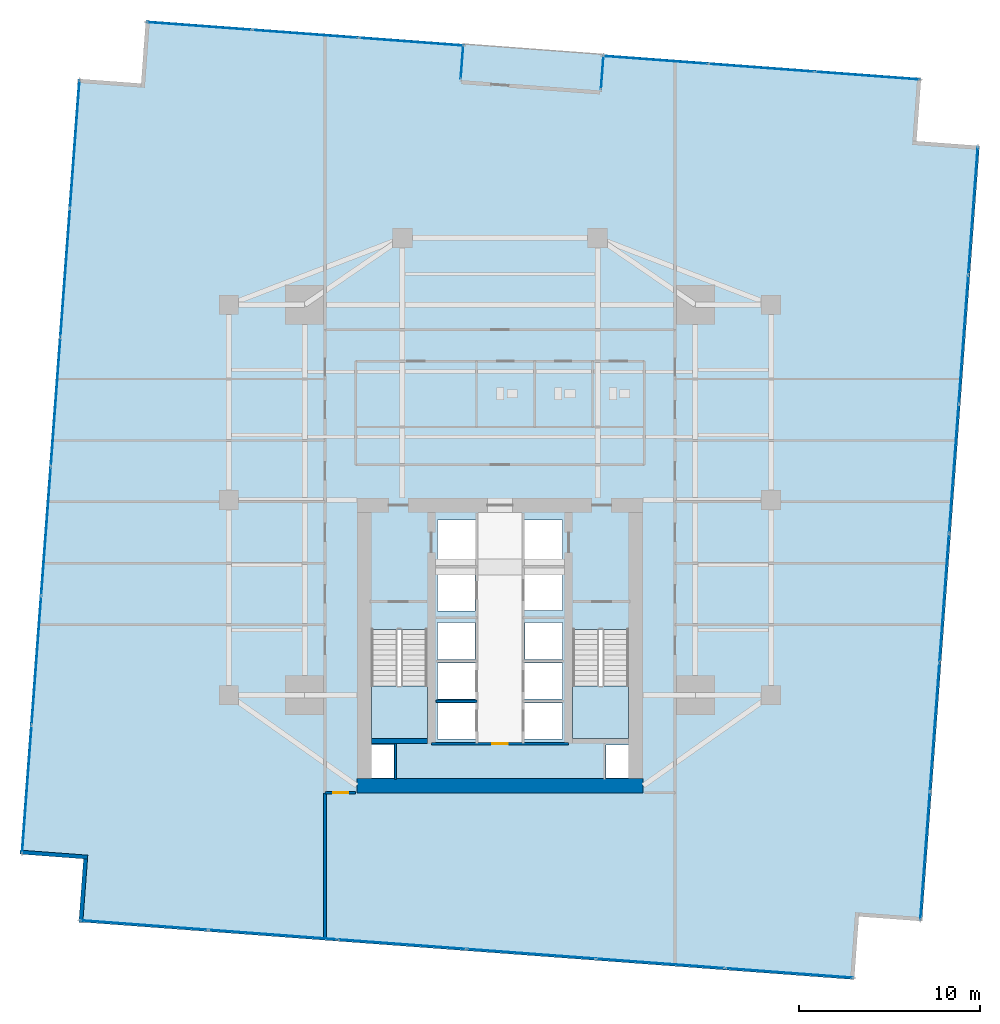
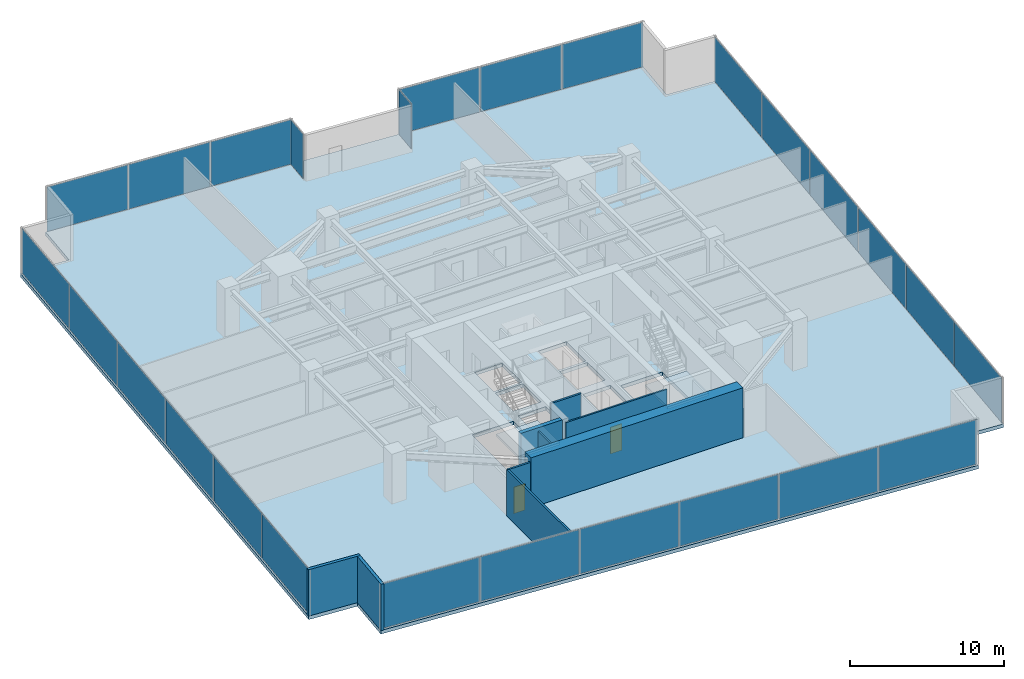
# One storey, part 25 of 30: 26 plates, 9 walls, 3 slabs, 2 doors, 2 openings, 9 elements without a shape of their own.
"""IFC4 building model written with IfcOpenShell, lengths in metres."""

from ifc_helpers import new_model, si_unit, direction, frame, frame_2d, origin, origin_2d, place, context, subcontext, project, spatial, polyline, rectangle, outline, extrude, source, transform, mapped, material, layer, layer_set, type_object, type_shapes, element, fill, aggregate, save


model = new_model("IFC4")

# Units and contexts
model_context = context("Model", 3, precision=1e-05, world=origin(), true_north=direction((0.0, 1.0)))
body_context = subcontext(model_context, "Body", "Model", "MODEL_VIEW")
ifc_project = project(units=[si_unit("LENGTHUNIT", "METRE"), si_unit("AREAUNIT", "SQUARE_METRE"), si_unit("VOLUMEUNIT", "CUBIC_METRE"), si_unit("PLANEANGLEUNIT", "RADIAN"), si_unit("MASSUNIT", "GRAM", prefix="KILO")], contexts=[model_context])

# Site, building, storey
site_placement = place(None, origin())
site = spatial("IfcSite", under=ifc_project, at=site_placement, CompositionType="ELEMENT")
building_placement = place(site_placement, origin())
building = spatial("IfcBuilding", under=site, at=building_placement, Name="Krantzveldt Concourse Tower", CompositionType="ELEMENT")
storey_placement = place(building_placement, frame((0.0, 0.0, 48.699951171875)))
storey = spatial("IfcBuildingStorey", under=building, at=storey_placement, Name="L11", CompositionType="ELEMENT", Elevation=48.699951171875)

# Stair, slab
ifc_material_1 = material(Name="Precast concrete C40/50", Category="concrete")
stair_type = type_object("IfcStairType", Name="STR-CORE-DOGLEG", PredefinedType="HALF_TURN_STAIR", material=ifc_material_1)
stair_1_placement = place(storey_placement, origin())
stair_1 = element("IfcStair", 1, at=stair_1_placement, inside=storey, type_object=stair_type, Name="L11 Protected Escape Stair ST-1", PredefinedType="HALF_TURN_STAIR")
ifc_layer_1 = layer(ifc_material_1, 0.199951171875, Name="Precast concrete C40/50", Category="concrete")
ifc_layer_set_1 = layer_set([ifc_layer_1], Name="Precast concrete C40/50 (SL-LANDING-200)")
slab_type_1 = type_object("IfcSlabType", Name="SL-LANDING-200", PredefinedType="LANDING", material=ifc_layer_set_1)
slab_1_placement = place(storey_placement, frame((0.0, 0.0, 1.775146484375)))
slab_1 = element("IfcSlab", 2, at=slab_1_placement, type_object=slab_type_1, Name="ST-1 landing 1", PredefinedType="LANDING", context=body_context, shape_type="SweptSolid", body=[
    extrude(outline(polyline([(28.8798828125, 16.4150390625), (28.8798828125, 13.52001953125), (31.97998046875, 13.52001953125), (31.97998046875, 16.4150390625), (28.8798828125, 16.4150390625)])), origin(), (0.0, 0.0, 1.0), 0.199951171875),
])
aggregate(stair_1, [slab_1])

stair_2_placement = place(storey_placement, origin())
stair_2 = element("IfcStair", 3, at=stair_2_placement, inside=storey, type_object=stair_type, Name="L11 Protected Escape Stair ST-2", PredefinedType="HALF_TURN_STAIR")
slab_2_placement = place(storey_placement, frame((0.0, 0.0, 1.775146484375)))
slab_2 = element("IfcSlab", 4, at=slab_2_placement, type_object=slab_type_1, Name="ST-2 landing 1", PredefinedType="LANDING", context=body_context, shape_type="SweptSolid", body=[
    extrude(outline(polyline([(40.02001953125, 16.4150390625), (40.02001953125, 13.52001953125), (43.1201171875, 13.52001953125), (43.1201171875, 16.4150390625), (40.02001953125, 16.4150390625)])), origin(), (0.0, 0.0, 1.0), 0.199951171875),
])
aggregate(stair_2, [slab_2])

# Slab
ifc_material_2 = material(Name="Concrete C40/50", Category="concrete")
ifc_layer_2 = layer(ifc_material_2, 0.280029296875, Name="Concrete C40/50", Category="concrete")
ifc_layer_set_2 = layer_set([ifc_layer_2], Name="Concrete C40/50 (SL-SL-TER280)")
slab_type_2 = type_object("IfcSlabType", Name="SL-SL-TER280", PredefinedType="FLOOR", material=ifc_layer_set_2)
slab_3_placement = place(storey_placement, frame((0.0, 0.0, -0.280029296875)))
element("IfcSlab", 5, at=slab_3_placement, inside=storey, type_object=slab_type_2, Name="SL-L11-MAIN", PredefinedType="FLOOR", context=body_context, shape_type="SweptSolid", body=[
    extrude(outline(polyline([(16.15234375, 49.734130859375), (12.662109375, 49.99365234375), (9.475341796875, 7.11181640625), (12.9658203125, 6.8525390625), (12.706298828125, 3.362060546875), (55.588134765625, 0.17529296875), (55.84765625, 3.665771484375), (59.337890625, 3.406494140625), (62.524658203125, 46.2880859375), (59.0341796875, 46.547607421875), (59.293701171875, 50.037841796875), (16.411865234375, 53.224609375), (16.15234375, 49.734130859375)]), holes=[polyline([(28.8798828125, 19.547607421875), (28.8798828125, 13.52001953125), (31.97998046875, 13.52001953125), (31.97998046875, 19.547607421875), (28.8798828125, 19.547607421875)]), polyline([(40.02001953125, 19.547607421875), (40.02001953125, 13.52001953125), (43.1201171875, 13.52001953125), (43.1201171875, 19.547607421875), (40.02001953125, 19.547607421875)]), polyline([(32.550048828125, 23.10009765625), (34.64990234375, 23.10009765625), (34.64990234375, 25.60009765625), (32.550048828125, 25.60009765625), (32.550048828125, 23.10009765625)]), polyline([(37.35009765625, 23.10009765625), (39.449951171875, 23.10009765625), (39.449951171875, 25.60009765625), (37.35009765625, 25.60009765625), (37.35009765625, 23.10009765625)]), polyline([(37.35009765625, 20.60009765625), (39.449951171875, 20.60009765625), (39.449951171875, 22.89990234375), (37.35009765625, 22.89990234375), (37.35009765625, 20.60009765625)]), polyline([(32.550048828125, 13.47998046875), (34.64990234375, 13.47998046875), (34.64990234375, 15.47998046875), (32.550048828125, 15.47998046875), (32.550048828125, 13.47998046875)]), polyline([(32.550048828125, 15.679931640625), (34.64990234375, 15.679931640625), (34.64990234375, 17.679931640625), (32.550048828125, 17.679931640625), (32.550048828125, 15.679931640625)]), polyline([(37.35009765625, 13.47998046875), (39.449951171875, 13.47998046875), (39.449951171875, 15.47998046875), (37.35009765625, 15.47998046875), (37.35009765625, 13.47998046875)]), polyline([(37.35009765625, 15.679931640625), (39.449951171875, 15.679931640625), (39.449951171875, 17.679931640625), (37.35009765625, 17.679931640625), (37.35009765625, 15.679931640625)]), polyline([(32.550048828125, 20.550048828125), (34.6201171875, 20.550048828125), (34.6201171875, 22.89990234375), (32.550048828125, 22.89990234375), (32.550048828125, 20.550048828125)]), polyline([(32.550048828125, 17.8798828125), (34.6201171875, 17.8798828125), (34.6201171875, 19.919921875), (32.550048828125, 19.919921875), (32.550048828125, 17.8798828125)]), polyline([(37.3798828125, 17.8798828125), (39.449951171875, 17.8798828125), (39.449951171875, 19.919921875), (37.3798828125, 19.919921875), (37.3798828125, 17.8798828125)]), polyline([(28.8798828125, 11.320068359375), (30.139892578125, 11.320068359375), (30.139892578125, 13.159912109375), (28.8798828125, 13.159912109375), (28.8798828125, 11.320068359375)]), polyline([(41.860107421875, 11.320068359375), (43.1201171875, 11.320068359375), (43.1201171875, 13.159912109375), (41.860107421875, 13.159912109375), (41.860107421875, 11.320068359375)])]), origin(), (0.0, 0.0, 1.0), 0.280029296875),
])

# Curtain wall, plates
ifc_material_3 = material(Name="Anodised aluminium 6063-T6", Category="aluminium")
curtain_wall_type_1 = type_object("IfcCurtainWallType", Name="CW2", PredefinedType="USERDEFINED", material=ifc_material_3)
curtain_wall_1_placement = place(storey_placement, origin())
curtain_wall_1 = element("IfcCurtainWall", 6, at=curtain_wall_1_placement, inside=storey, type_object=curtain_wall_type_1, Name="CW-L11-F01", ObjectType="UNITISED CURTAIN WALL", PredefinedType="USERDEFINED")
ifc_material_4 = material(Name="Bronze-tinted laminated low-E IGU glass", Category="glass")
ifc_layer_3 = layer(ifc_material_4, 0.031982421875, Name="Bronze-tinted laminated low-E IGU glass", Category="glass")
ifc_layer_set_3 = layer_set([ifc_layer_3], Name="Bronze-tinted laminated low-E IGU glass (CW-GLZ-32)")
plate_type = type_object("IfcPlateType", Name="CW-GLZ-32", PredefinedType="CURTAIN_PANEL", material=ifc_layer_set_3)
shared_shape_1 = source(origin(), body_context, "Body", "SweptSolid", [
    extrude(rectangle(XDim=7.061767578125, YDim=0.031982421875, at=origin_2d()), origin(), (0.0, 0.0, 1.0), 3.530029296875),
])
plate_1_placement = place(storey_placement, frame((12.48486328125, 46.39599609375, 0.06982421875), z_axis=(0.0, 0.0, 1.0), x_axis=(-0.07410860051, -0.997250176902, 0.0)))
plate_1 = element("IfcPlate", 7, at=plate_1_placement, type_object=plate_type, Name="CW-Z12 panel 1.1", PredefinedType="CURTAIN_PANEL", context=body_context, shape_type="MappedRepresentation", body=[
    mapped(shared_shape_1, transform((0.0, 0.0, 0.0), x_axis=(1.0, 0.0, 0.0), y_axis=(0.0, 1.0, 0.0), z_axis=(0.0, 0.0, 1.0), scale=1.0)),
])
plate_2_placement = place(storey_placement, frame((9.83203125, 10.696044921875, 0.06982421875), z_axis=(0.0, 0.0, 1.0), x_axis=(-0.07410860051, -0.997250176902, 0.0)))
plate_2 = element("IfcPlate", 8, at=plate_2_placement, type_object=plate_type, Name="CW-Z12 panel 6.1", PredefinedType="CURTAIN_PANEL", context=body_context, shape_type="MappedRepresentation", body=[
    mapped(shared_shape_1, transform((0.0, 0.0, 0.0), x_axis=(1.0, 0.0, 0.0), y_axis=(0.0, 1.0, 0.0), z_axis=(0.0, 0.0, 1.0), scale=1.0)),
])

curtain_wall_2_placement = place(storey_placement, origin())
curtain_wall_2 = element("IfcCurtainWall", 9, at=curtain_wall_2_placement, inside=storey, type_object=curtain_wall_type_1, Name="CW-L11-F04", ObjectType="UNITISED CURTAIN WALL", PredefinedType="USERDEFINED")
plate_3_placement = place(storey_placement, frame((16.303955078125, 3.18505859375, 0.06982421875), z_axis=(0.0, 0.0, 1.0), x_axis=(0.997250176902, -0.07410860051, 0.0)))
plate_3 = element("IfcPlate", 10, at=plate_3_placement, type_object=plate_type, Name="CW-Z12 panel 1.1", PredefinedType="CURTAIN_PANEL", context=body_context, shape_type="MappedRepresentation", body=[
    mapped(shared_shape_1, transform((0.0, 0.0, 0.0), x_axis=(1.0, 0.0, 0.0), y_axis=(0.0, 1.0, 0.0), z_axis=(0.0, 0.0, 1.0), scale=1.0)),
])
plate_4_placement = place(storey_placement, frame((52.00390625, 0.531982421875, 0.06982421875), z_axis=(0.0, 0.0, 1.0), x_axis=(0.997250176902, -0.07410860051, 0.0)))
plate_4 = element("IfcPlate", 11, at=plate_4_placement, type_object=plate_type, Name="CW-Z12 panel 6.1", PredefinedType="CURTAIN_PANEL", context=body_context, shape_type="MappedRepresentation", body=[
    mapped(shared_shape_1, transform((0.0, 0.0, 0.0), x_axis=(1.0, 0.0, 0.0), y_axis=(0.0, 1.0, 0.0), z_axis=(0.0, 0.0, 1.0), scale=1.0)),
])

curtain_wall_3_placement = place(storey_placement, origin())
curtain_wall_3 = element("IfcCurtainWall", 12, at=curtain_wall_3_placement, inside=storey, type_object=curtain_wall_type_1, Name="CW-L11-F07", ObjectType="UNITISED CURTAIN WALL", PredefinedType="USERDEFINED")
plate_5_placement = place(storey_placement, frame((59.51513671875, 7.00390625, 0.06982421875), z_axis=(0.0, 0.0, 1.0), x_axis=(0.07410860051, 0.997250176902, 0.0)))
plate_5 = element("IfcPlate", 13, at=plate_5_placement, type_object=plate_type, Name="CW-Z12 panel 1.1", PredefinedType="CURTAIN_PANEL", context=body_context, shape_type="MappedRepresentation", body=[
    mapped(shared_shape_1, transform((0.0, 0.0, 0.0), x_axis=(1.0, 0.0, 0.0), y_axis=(0.0, 1.0, 0.0), z_axis=(0.0, 0.0, 1.0), scale=1.0)),
])
plate_6_placement = place(storey_placement, frame((62.16796875, 42.703857421875, 0.06982421875), z_axis=(0.0, 0.0, 1.0), x_axis=(0.07410860051, 0.997250176902, 0.0)))
plate_6 = element("IfcPlate", 14, at=plate_6_placement, type_object=plate_type, Name="CW-Z12 panel 6.1", PredefinedType="CURTAIN_PANEL", context=body_context, shape_type="MappedRepresentation", body=[
    mapped(shared_shape_1, transform((0.0, 0.0, 0.0), x_axis=(1.0, 0.0, 0.0), y_axis=(0.0, 1.0, 0.0), z_axis=(0.0, 0.0, 1.0), scale=1.0)),
])

# Plate
shared_shape_2 = source(origin(), body_context, "Body", "SweptSolid", [
    extrude(rectangle(XDim=7.0966796875, YDim=0.031982421875, at=origin_2d()), origin(), (0.0, 0.0, 1.0), 3.530029296875),
])
plate_7_placement = place(storey_placement, frame((11.955078125, 39.2666015625, 0.06982421875), z_axis=(0.0, 0.0, 1.0), x_axis=(-0.07410860051, -0.997250176902, 0.0)))
plate_7 = element("IfcPlate", 15, at=plate_7_placement, type_object=plate_type, Name="CW-Z12 panel 2.1", PredefinedType="CURTAIN_PANEL", context=body_context, shape_type="MappedRepresentation", body=[
    mapped(shared_shape_2, transform((0.0, 0.0, 0.0), x_axis=(1.0, 0.0, 0.0), y_axis=(0.0, 1.0, 0.0), z_axis=(0.0, 0.0, 1.0), scale=1.0)),
])

plate_8_placement = place(storey_placement, frame((11.424072265625, 32.11962890625, 0.06982421875), z_axis=(0.0, 0.0, 1.0), x_axis=(-0.07410860051, -0.997250176902, 0.0)))
plate_8 = element("IfcPlate", 16, at=plate_8_placement, type_object=plate_type, Name="CW-Z12 panel 3.1", PredefinedType="CURTAIN_PANEL", context=body_context, shape_type="MappedRepresentation", body=[
    mapped(shared_shape_2, transform((0.0, 0.0, 0.0), x_axis=(1.0, 0.0, 0.0), y_axis=(0.0, 1.0, 0.0), z_axis=(0.0, 0.0, 1.0), scale=1.0)),
])

plate_9_placement = place(storey_placement, frame((10.892822265625, 24.97265625, 0.06982421875), z_axis=(0.0, 0.0, 1.0), x_axis=(-0.07410860051, -0.997250176902, 0.0)))
plate_9 = element("IfcPlate", 17, at=plate_9_placement, type_object=plate_type, Name="CW-Z12 panel 4.1", PredefinedType="CURTAIN_PANEL", context=body_context, shape_type="MappedRepresentation", body=[
    mapped(shared_shape_2, transform((0.0, 0.0, 0.0), x_axis=(1.0, 0.0, 0.0), y_axis=(0.0, 1.0, 0.0), z_axis=(0.0, 0.0, 1.0), scale=1.0)),
])

plate_10_placement = place(storey_placement, frame((10.36181640625, 17.82568359375, 0.06982421875), z_axis=(0.0, 0.0, 1.0), x_axis=(-0.07410860051, -0.997250176902, 0.0)))
plate_10 = element("IfcPlate", 18, at=plate_10_placement, type_object=plate_type, Name="CW-Z12 panel 5.1", PredefinedType="CURTAIN_PANEL", context=body_context, shape_type="MappedRepresentation", body=[
    mapped(shared_shape_2, transform((0.0, 0.0, 0.0), x_axis=(1.0, 0.0, 0.0), y_axis=(0.0, 1.0, 0.0), z_axis=(0.0, 0.0, 1.0), scale=1.0)),
])

aggregate(curtain_wall_1, [plate_1, plate_7, plate_8, plate_9, plate_10, plate_2])

plate_11_placement = place(storey_placement, frame((23.43359375, 2.6552734375, 0.06982421875), z_axis=(0.0, 0.0, 1.0), x_axis=(0.997250176902, -0.07410860051, 0.0)))
plate_11 = element("IfcPlate", 19, at=plate_11_placement, type_object=plate_type, Name="CW-Z12 panel 2.1", PredefinedType="CURTAIN_PANEL", context=body_context, shape_type="MappedRepresentation", body=[
    mapped(shared_shape_2, transform((0.0, 0.0, 0.0), x_axis=(1.0, 0.0, 0.0), y_axis=(0.0, 1.0, 0.0), z_axis=(0.0, 0.0, 1.0), scale=1.0)),
])

plate_12_placement = place(storey_placement, frame((30.58056640625, 2.1240234375, 0.06982421875), z_axis=(0.0, 0.0, 1.0), x_axis=(0.997250176902, -0.07410860051, 0.0)))
plate_12 = element("IfcPlate", 20, at=plate_12_placement, type_object=plate_type, Name="CW-Z12 panel 3.1", PredefinedType="CURTAIN_PANEL", context=body_context, shape_type="MappedRepresentation", body=[
    mapped(shared_shape_2, transform((0.0, 0.0, 0.0), x_axis=(1.0, 0.0, 0.0), y_axis=(0.0, 1.0, 0.0), z_axis=(0.0, 0.0, 1.0), scale=1.0)),
])

plate_13_placement = place(storey_placement, frame((37.7275390625, 1.593017578125, 0.06982421875), z_axis=(0.0, 0.0, 1.0), x_axis=(0.997250176902, -0.07410860051, 0.0)))
plate_13 = element("IfcPlate", 21, at=plate_13_placement, type_object=plate_type, Name="CW-Z12 panel 4.1", PredefinedType="CURTAIN_PANEL", context=body_context, shape_type="MappedRepresentation", body=[
    mapped(shared_shape_2, transform((0.0, 0.0, 0.0), x_axis=(1.0, 0.0, 0.0), y_axis=(0.0, 1.0, 0.0), z_axis=(0.0, 0.0, 1.0), scale=1.0)),
])

plate_14_placement = place(storey_placement, frame((44.87451171875, 1.061767578125, 0.06982421875), z_axis=(0.0, 0.0, 1.0), x_axis=(0.997250176902, -0.07410860051, 0.0)))
plate_14 = element("IfcPlate", 22, at=plate_14_placement, type_object=plate_type, Name="CW-Z12 panel 5.1", PredefinedType="CURTAIN_PANEL", context=body_context, shape_type="MappedRepresentation", body=[
    mapped(shared_shape_2, transform((0.0, 0.0, 0.0), x_axis=(1.0, 0.0, 0.0), y_axis=(0.0, 1.0, 0.0), z_axis=(0.0, 0.0, 1.0), scale=1.0)),
])

aggregate(curtain_wall_2, [plate_3, plate_11, plate_12, plate_13, plate_14, plate_4])

plate_15_placement = place(storey_placement, frame((60.044921875, 14.133544921875, 0.06982421875), z_axis=(0.0, 0.0, 1.0), x_axis=(0.07410860051, 0.997250176902, 0.0)))
plate_15 = element("IfcPlate", 23, at=plate_15_placement, type_object=plate_type, Name="CW-Z12 panel 2.1", PredefinedType="CURTAIN_PANEL", context=body_context, shape_type="MappedRepresentation", body=[
    mapped(shared_shape_2, transform((0.0, 0.0, 0.0), x_axis=(1.0, 0.0, 0.0), y_axis=(0.0, 1.0, 0.0), z_axis=(0.0, 0.0, 1.0), scale=1.0)),
])

plate_16_placement = place(storey_placement, frame((60.575927734375, 21.280517578125, 0.06982421875), z_axis=(0.0, 0.0, 1.0), x_axis=(0.07410860051, 0.997250176902, 0.0)))
plate_16 = element("IfcPlate", 24, at=plate_16_placement, type_object=plate_type, Name="CW-Z12 panel 3.1", PredefinedType="CURTAIN_PANEL", context=body_context, shape_type="MappedRepresentation", body=[
    mapped(shared_shape_2, transform((0.0, 0.0, 0.0), x_axis=(1.0, 0.0, 0.0), y_axis=(0.0, 1.0, 0.0), z_axis=(0.0, 0.0, 1.0), scale=1.0)),
])

plate_17_placement = place(storey_placement, frame((61.107177734375, 28.427490234375, 0.06982421875), z_axis=(0.0, 0.0, 1.0), x_axis=(0.07410860051, 0.997250176902, 0.0)))
plate_17 = element("IfcPlate", 25, at=plate_17_placement, type_object=plate_type, Name="CW-Z12 panel 4.1", PredefinedType="CURTAIN_PANEL", context=body_context, shape_type="MappedRepresentation", body=[
    mapped(shared_shape_2, transform((0.0, 0.0, 0.0), x_axis=(1.0, 0.0, 0.0), y_axis=(0.0, 1.0, 0.0), z_axis=(0.0, 0.0, 1.0), scale=1.0)),
])

plate_18_placement = place(storey_placement, frame((61.63818359375, 35.574462890625, 0.06982421875), z_axis=(0.0, 0.0, 1.0), x_axis=(0.07410860051, 0.997250176902, 0.0)))
plate_18 = element("IfcPlate", 26, at=plate_18_placement, type_object=plate_type, Name="CW-Z12 panel 5.1", PredefinedType="CURTAIN_PANEL", context=body_context, shape_type="MappedRepresentation", body=[
    mapped(shared_shape_2, transform((0.0, 0.0, 0.0), x_axis=(1.0, 0.0, 0.0), y_axis=(0.0, 1.0, 0.0), z_axis=(0.0, 0.0, 1.0), scale=1.0)),
])

aggregate(curtain_wall_3, [plate_5, plate_15, plate_16, plate_17, plate_18, plate_6])

# Curtain wall, plates
curtain_wall_4_placement = place(storey_placement, origin())
curtain_wall_4 = element("IfcCurtainWall", 27, at=curtain_wall_4_placement, inside=storey, type_object=curtain_wall_type_1, Name="CW-L11-F10", ObjectType="UNITISED CURTAIN WALL", PredefinedType="USERDEFINED")
shared_shape_3 = source(origin(), body_context, "Body", "SweptSolid", [
    extrude(rectangle(XDim=5.794921875, YDim=0.031982421875, at=origin_2d()), origin(), (0.0, 0.0, 1.0), 3.530029296875),
])
plate_19_placement = place(storey_placement, frame((56.32763671875, 50.16796875, 0.06982421875), z_axis=(0.0, 0.0, 1.0), x_axis=(-0.997250186789, 0.074108467464, 0.0)))
plate_19 = element("IfcPlate", 28, at=plate_19_placement, type_object=plate_type, Name="CW-Z12 panel 1.1", PredefinedType="CURTAIN_PANEL", context=body_context, shape_type="MappedRepresentation", body=[
    mapped(shared_shape_3, transform((0.0, 0.0, 0.0), x_axis=(1.0, 0.0, 0.0), y_axis=(0.0, 1.0, 0.0), z_axis=(0.0, 0.0, 1.0), scale=1.0)),
])
plate_20_placement = place(storey_placement, frame((44.594970703125, 51.0400390625, 0.06982421875), z_axis=(0.0, 0.0, 1.0), x_axis=(-0.997250186789, 0.074108467464, 0.0)))
plate_20 = element("IfcPlate", 29, at=plate_20_placement, type_object=plate_type, Name="CW-Z12 panel 3.1", PredefinedType="CURTAIN_PANEL", context=body_context, shape_type="MappedRepresentation", body=[
    mapped(shared_shape_3, transform((0.0, 0.0, 0.0), x_axis=(1.0, 0.0, 0.0), y_axis=(0.0, 1.0, 0.0), z_axis=(0.0, 0.0, 1.0), scale=1.0)),
])

curtain_wall_5_placement = place(storey_placement, origin())
curtain_wall_5 = element("IfcCurtainWall", 30, at=curtain_wall_5_placement, inside=storey, type_object=curtain_wall_type_1, Name="CW-L11-F14", ObjectType="UNITISED CURTAIN WALL", PredefinedType="USERDEFINED")
plate_21_placement = place(storey_placement, frame((31.09716796875, 52.04296875, 0.06982421875), z_axis=(0.0, 0.0, 1.0), x_axis=(-0.997250186789, 0.074108467464, 0.0)))
plate_21 = element("IfcPlate", 31, at=plate_21_placement, type_object=plate_type, Name="CW-Z12 panel 1.1", PredefinedType="CURTAIN_PANEL", context=body_context, shape_type="MappedRepresentation", body=[
    mapped(shared_shape_3, transform((0.0, 0.0, 0.0), x_axis=(1.0, 0.0, 0.0), y_axis=(0.0, 1.0, 0.0), z_axis=(0.0, 0.0, 1.0), scale=1.0)),
])
plate_22_placement = place(storey_placement, frame((19.364501953125, 52.9150390625, 0.06982421875), z_axis=(0.0, 0.0, 1.0), x_axis=(-0.997250186789, 0.074108467464, 0.0)))
plate_22 = element("IfcPlate", 32, at=plate_22_placement, type_object=plate_type, Name="CW-Z12 panel 3.1", PredefinedType="CURTAIN_PANEL", context=body_context, shape_type="MappedRepresentation", body=[
    mapped(shared_shape_3, transform((0.0, 0.0, 0.0), x_axis=(1.0, 0.0, 0.0), y_axis=(0.0, 1.0, 0.0), z_axis=(0.0, 0.0, 1.0), scale=1.0)),
])

# Plate
shared_shape_4 = source(origin(), body_context, "Body", "SweptSolid", [
    extrude(rectangle(XDim=5.830078125, YDim=0.031982421875, at=origin_2d()), origin(), (0.0, 0.0, 1.0), 3.530029296875),
])
plate_23_placement = place(storey_placement, frame((50.461181640625, 50.60400390625, 0.06982421875), z_axis=(0.0, 0.0, 1.0), x_axis=(-0.997250186789, 0.074108467464, 0.0)))
plate_23 = element("IfcPlate", 33, at=plate_23_placement, type_object=plate_type, Name="CW-Z12 panel 2.1", PredefinedType="CURTAIN_PANEL", context=body_context, shape_type="MappedRepresentation", body=[
    mapped(shared_shape_4, transform((0.0, 0.0, 0.0), x_axis=(1.0, 0.0, 0.0), y_axis=(0.0, 1.0, 0.0), z_axis=(0.0, 0.0, 1.0), scale=1.0)),
])

aggregate(curtain_wall_4, [plate_19, plate_23, plate_20])

plate_24_placement = place(storey_placement, frame((25.230712890625, 52.47900390625, 0.06982421875), z_axis=(0.0, 0.0, 1.0), x_axis=(-0.997250186789, 0.074108467464, 0.0)))
plate_24 = element("IfcPlate", 34, at=plate_24_placement, type_object=plate_type, Name="CW-Z12 panel 2.1", PredefinedType="CURTAIN_PANEL", context=body_context, shape_type="MappedRepresentation", body=[
    mapped(shared_shape_4, transform((0.0, 0.0, 0.0), x_axis=(1.0, 0.0, 0.0), y_axis=(0.0, 1.0, 0.0), z_axis=(0.0, 0.0, 1.0), scale=1.0)),
])

aggregate(curtain_wall_5, [plate_21, plate_24, plate_22])

# Curtain wall, plate
curtain_wall_type_2 = type_object("IfcCurtainWallType", Name="CW6", PredefinedType="USERDEFINED", material=ifc_material_3)
curtain_wall_6_placement = place(storey_placement, origin())
curtain_wall_6 = element("IfcCurtainWall", 35, at=curtain_wall_6_placement, inside=storey, type_object=curtain_wall_type_2, Name="CW-L11-TR11", ObjectType="UNITISED CURTAIN WALL", PredefinedType="USERDEFINED")
shared_shape_5 = source(origin(), body_context, "Body", "SweptSolid", [
    extrude(rectangle(XDim=1.860107421875, YDim=0.031982421875, at=origin_2d()), origin(), (0.0, 0.0, 1.0), 3.530029296875),
])
type_shapes(plate_type, [shared_shape_1, shared_shape_2, shared_shape_3, shared_shape_4, shared_shape_5])
plate_25_placement = place(storey_placement, frame((41.657958984375, 50.345703125, 0.06982421875), z_axis=(0.0, 0.0, 1.0), x_axis=(-0.074105032841, -0.997250442019, 0.0)))
plate_25 = element("IfcPlate", 36, at=plate_25_placement, type_object=plate_type, Name="CW-TERR panel 1.1", PredefinedType="CURTAIN_PANEL", context=body_context, shape_type="MappedRepresentation", body=[
    mapped(shared_shape_5, transform((0.0, 0.0, 0.0), x_axis=(1.0, 0.0, 0.0), y_axis=(0.0, 1.0, 0.0), z_axis=(0.0, 0.0, 1.0), scale=1.0)),
])
aggregate(curtain_wall_6, [plate_25])

curtain_wall_7_placement = place(storey_placement, origin())
curtain_wall_7 = element("IfcCurtainWall", 37, at=curtain_wall_7_placement, inside=storey, type_object=curtain_wall_type_2, Name="CW-L11-TR13", ObjectType="UNITISED CURTAIN WALL", PredefinedType="USERDEFINED")
plate_26_placement = place(storey_placement, frame((33.8994140625, 50.92236328125, 0.06982421875), z_axis=(0.0, 0.0, 1.0), x_axis=(0.074110005396, 0.997250072499, 0.0)))
plate_26 = element("IfcPlate", 38, at=plate_26_placement, type_object=plate_type, Name="CW-TERR panel 1.1", PredefinedType="CURTAIN_PANEL", context=body_context, shape_type="MappedRepresentation", body=[
    mapped(shared_shape_5, transform((0.0, 0.0, 0.0), x_axis=(1.0, 0.0, 0.0), y_axis=(0.0, 1.0, 0.0), z_axis=(0.0, 0.0, 1.0), scale=1.0)),
])
aggregate(curtain_wall_7, [plate_26])

# Walls
ifc_layer_4 = layer(ifc_material_3, 0.219970703125, Name="Anodised aluminium 6063-T6", Category="aluminium")
ifc_layer_set_4 = layer_set([ifc_layer_4], Name="Anodised aluminium 6063-T6 (WL-EXT-NOTCH220)")
wall_type_1 = type_object("IfcWallType", Name="WL-EXT-NOTCH220", PredefinedType="ELEMENTEDWALL", material=ifc_layer_set_4)
wall_1_placement = place(storey_placement, frame((9.458740234375, 7.223388671875, 0.0), z_axis=(0.0, 0.0, 1.0), x_axis=(0.997249045342, -0.074123825884, 0.0)))
element("IfcWall", 39, at=wall_1_placement, inside=storey, type_object=wall_type_1, Name="EW-L11-NCH02", PredefinedType="ELEMENTEDWALL", context=body_context, shape_type="SweptSolid", body=[
    extrude(rectangle(XDim=3.744873046875, YDim=0.219970703125, at=frame_2d((1.87255859375, 0.0))), origin(), (0.0, 0.0, 1.0), 3.670166015625),
])
wall_2_placement = place(storey_placement, frame((13.075439453125, 6.84423828125, 0.0), z_axis=(0.0, 0.0, 1.0), x_axis=(-0.074111505645, -0.997249961008, 0.0)))
element("IfcWall", 40, at=wall_2_placement, inside=storey, type_object=wall_type_1, Name="EW-L11-NCH03", PredefinedType="ELEMENTEDWALL", context=body_context, shape_type="SweptSolid", body=[
    extrude(rectangle(XDim=3.52490234375, YDim=0.219970703125, at=frame_2d((1.762451171875, 0.0))), origin(), (0.0, 0.0, 1.0), 3.670166015625),
])

# Wall, opening, door
ifc_material_5 = material(Name="Fire-rated gypsum plasterboard on steel stud", Category="steel")
ifc_layer_5 = layer(ifc_material_5, 0.1201171875, Name="Fire-rated gypsum plasterboard on steel stud", Category="steel")
ifc_layer_set_5 = layer_set([ifc_layer_5], Name="Fire-rated gypsum plasterboard on steel stud (WL-PART-120)")
wall_type_2 = type_object("IfcWallType", Name="WL-PART-120", PredefinedType="PARTITIONING", material=ifc_layer_set_5)
wall_3_placement = place(storey_placement, frame((32.2099609375, 13.219970703125, 0.0), z_axis=(0.0, 0.0, 1.0), x_axis=(1.0, 0.0, 0.0)))
wall_3 = element("IfcWall", 41, at=wall_3_placement, inside=storey, type_object=wall_type_2, Name="WP-L11-CS2H", PredefinedType="PARTITIONING", context=body_context, shape_type="SweptSolid", body=[
    extrude(rectangle(XDim=7.580078125, YDim=0.1201171875, at=frame_2d((3.7900390625, 0.0))), origin(), (0.0, 0.0, 1.0), 3.670166015625),
])
opening_1_placement = place(wall_3_placement, frame((3.364990234375, 0.0, 0.0)))
opening_1 = element("IfcOpeningElement", 42, at=opening_1_placement, cuts=wall_3, Name="Opening D-IN085", PredefinedType="OPENING", context=body_context, shape_type="SweptSolid", body=[
    extrude(rectangle(XDim=0.85009765625, YDim=2.10009765625, at=frame_2d((0.425048828125, 1.050048828125))), frame((0.0, 0.070068359375, 0.0), z_axis=(0.0, -1.0, 0.0), x_axis=(1.0, 0.0, 0.0)), (0.0, 0.0, 1.0), 0.14013671875),
])
ifc_material_6 = material(Name="Hardwood timber", Category="wood")
door_type = type_object("IfcDoorType", Name="DR-INT-850", OperationType="SINGLE_SWING_LEFT", PredefinedType="DOOR", material=ifc_material_6)
door_1_placement = place(opening_1_placement, origin())
door_1 = element("IfcDoor", 43, at=door_1_placement, inside=storey, type_object=door_type, Name="DR-L11-CSC1", OperationType="SINGLE_SWING_RIGHT", OverallHeight=2.10009765625, OverallWidth=0.85009765625, PredefinedType="DOOR", context=body_context, shape_type="SweptSolid", body=[
    extrude(rectangle(XDim=0.85009765625, YDim=2.10009765625, at=frame_2d((0.425048828125, 1.050048828125))), frame((0.0, 0.02490234375, 0.0), z_axis=(0.0, -1.0, 0.0), x_axis=(1.0, 0.0, 0.0)), (0.0, 0.0, 1.0), 0.050048828125),
])
fill(opening_1, door_1)

ifc_layer_6 = layer(ifc_material_5, 0.139892578125, Name="Fire-rated gypsum plasterboard on steel stud", Category="steel")
ifc_layer_set_6 = layer_set([ifc_layer_6], Name="Fire-rated gypsum plasterboard on steel stud (WL-PART-140)")
wall_type_3 = type_object("IfcWallType", Name="WL-PART-140", PredefinedType="PARTITIONING", material=ifc_layer_set_6)
wall_4_placement = place(storey_placement, frame((26.320068359375, 10.5, 0.0), z_axis=(0.0, 0.0, 1.0), x_axis=(1.0, 0.0, 0.0)))
wall_4 = element("IfcWall", 44, at=wall_4_placement, inside=storey, type_object=wall_type_3, Name="WP-L11-CWBOT", PredefinedType="PARTITIONING", context=body_context, shape_type="SweptSolid", body=[
    extrude(rectangle(XDim=1.679931640625, YDim=0.139892578125, at=frame_2d((0.83984375, 0.0))), origin(), (0.0, 0.0, 1.0), 3.670166015625),
])
opening_2_placement = place(wall_4_placement, frame((0.445068359375, 0.0, 0.0)))
opening_2 = element("IfcOpeningElement", 45, at=opening_2_placement, cuts=wall_4, Name="Opening D-IN085", PredefinedType="OPENING", context=body_context, shape_type="SweptSolid", body=[
    extrude(rectangle(XDim=0.85009765625, YDim=2.10009765625, at=frame_2d((0.425048828125, 1.050048828125))), frame((0.0, 0.080078125, 0.0), z_axis=(0.0, -1.0, 0.0), x_axis=(1.0, 0.0, 0.0)), (0.0, 0.0, 1.0), 0.159912109375),
])
door_2_placement = place(opening_2_placement, origin())
door_2 = element("IfcDoor", 46, at=door_2_placement, inside=storey, type_object=door_type, Name="DR-L11-SR1", OperationType="SINGLE_SWING_LEFT", OverallHeight=2.10009765625, OverallWidth=0.85009765625, PredefinedType="DOOR", context=body_context, shape_type="SweptSolid", body=[
    extrude(rectangle(XDim=0.85009765625, YDim=2.10009765625, at=frame_2d((0.425048828125, 1.050048828125))), frame((0.0, 0.02490234375, 0.0), z_axis=(0.0, -1.0, 0.0), x_axis=(1.0, 0.0, 0.0)), (0.0, 0.0, 1.0), 0.050048828125),
])
fill(opening_2, door_2)

# Walls
wall_5_placement = place(storey_placement, frame((26.320068359375, 2.440673828125, 0.0), z_axis=(0.0, 0.0, 1.0), x_axis=(0.0, 1.0, 0.0)))
element("IfcWall", 47, at=wall_5_placement, inside=storey, type_object=wall_type_3, Name="WP-L11-SWL", PredefinedType="PARTITIONING", context=body_context, shape_type="SweptSolid", body=[
    extrude(rectangle(XDim=8.059326171875, YDim=0.139892578125, at=frame_2d((4.02978515625, 0.0))), origin(), (0.0, 0.0, 1.0), 3.670166015625),
])
ifc_layer_7 = layer(ifc_material_5, 0.139892578125, Name="Fire-rated gypsum plasterboard on steel stud", Category="steel")
ifc_layer_set_7 = layer_set([ifc_layer_7], Name="Fire-rated gypsum plasterboard on steel stud (WL-PART-FR140)")
wall_type_4 = type_object("IfcWallType", Name="WL-PART-FR140", PredefinedType="PARTITIONING", material=ifc_layer_set_7)
wall_6_placement = place(storey_placement, frame((32.449951171875, 15.580078125, 0.0), z_axis=(0.0, 0.0, 1.0), x_axis=(1.0, 0.0, 0.0)))
element("IfcWall", 48, at=wall_6_placement, inside=storey, type_object=wall_type_4, Name="WP-L11-DIVW1", PredefinedType="PARTITIONING", context=body_context, shape_type="SweptSolid", body=[
    extrude(rectangle(XDim=2.27001953125, YDim=0.139892578125, at=frame_2d((1.135009765625, 0.0))), origin(), (0.0, 0.0, 1.0), 3.670166015625),
])
wall_7_placement = place(storey_placement, frame((30.219970703125, 11.25, 0.0), z_axis=(0.0, 0.0, 1.0), x_axis=(0.0, 1.0, 0.0)))
element("IfcWall", 49, at=wall_7_placement, inside=storey, type_object=wall_type_4, Name="WP-L11-RSW", PredefinedType="PARTITIONING", context=body_context, shape_type="SweptSolid", body=[
    extrude(rectangle(XDim=1.969970703125, YDim=0.1201171875, at=frame_2d((0.98486328125, 0.0))), origin(), (0.0, 0.0, 1.0), 3.670166015625),
])
ifc_material_7 = material(Name="Concrete C50/60", Category="concrete")
ifc_layer_8 = layer(ifc_material_7, 0.300048828125, Name="Concrete C50/60", Category="concrete")
ifc_layer_set_8 = layer_set([ifc_layer_8], Name="Concrete C50/60 (WL-SHEAR-300)")
wall_type_5 = type_object("IfcWallType", Name="WL-SHEAR-300", PredefinedType="SHEAR", material=ifc_layer_set_8)
wall_8_placement = place(storey_placement, frame((28.8798828125, 13.3701171875, 0.0), z_axis=(0.0, 0.0, 1.0), x_axis=(1.0, 0.0, 0.0)))
element("IfcWall", 50, at=wall_8_placement, inside=storey, type_object=wall_type_5, Name="CW-L11-ST1S", PredefinedType="SHEAR", context=body_context, shape_type="SweptSolid", body=[
    extrude(rectangle(XDim=3.10009765625, YDim=0.300048828125, at=frame_2d((1.550048828125, 0.0))), origin(), (0.0, 0.0, 1.0), 3.949951171875),
])
ifc_material_8 = material(Name="Concrete C60/75", Category="concrete")
ifc_layer_9 = layer(ifc_material_8, 0.800048828125, Name="Concrete C60/75", Category="concrete")
ifc_layer_set_9 = layer_set([ifc_layer_9], Name="Concrete C60/75 (WL-SHEAR-800)")
wall_type_6 = type_object("IfcWallType", Name="WL-SHEAR-800", PredefinedType="SHEAR", material=ifc_layer_set_9)
wall_9_placement = place(storey_placement, frame((28.080078125, 10.89990234375, 0.0), z_axis=(0.0, 0.0, 1.0), x_axis=(1.0, 0.0, 0.0)))
element("IfcWall", 51, at=wall_9_placement, inside=storey, type_object=wall_type_6, Name="CW-L11-S", PredefinedType="SHEAR", context=body_context, shape_type="SweptSolid", body=[
    extrude(rectangle(XDim=15.83984375, YDim=0.800048828125, at=frame_2d((7.919921875, 0.0))), origin(), (0.0, 0.0, 1.0), 3.949951171875),
])

save(model, "model.ifc")
